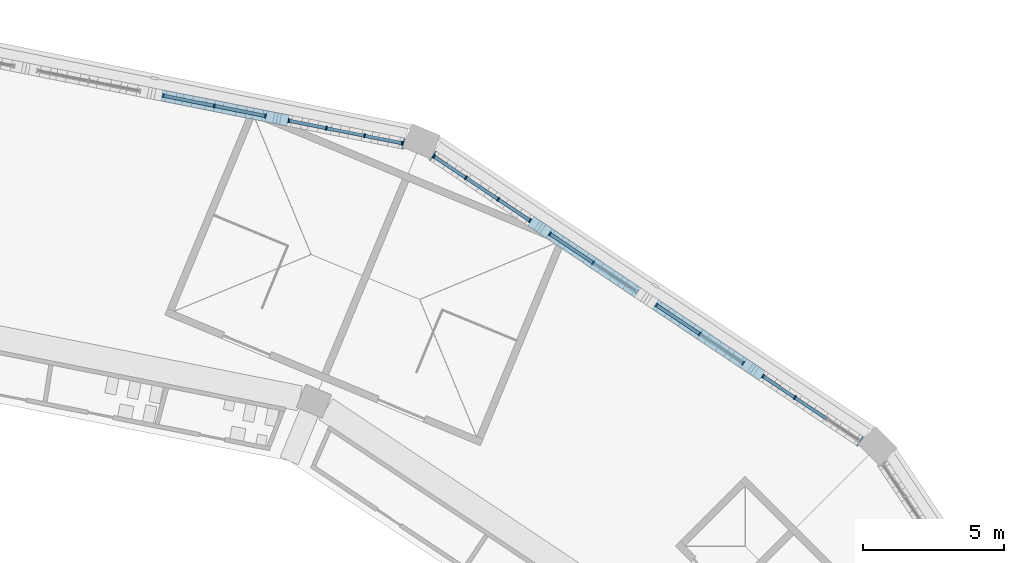
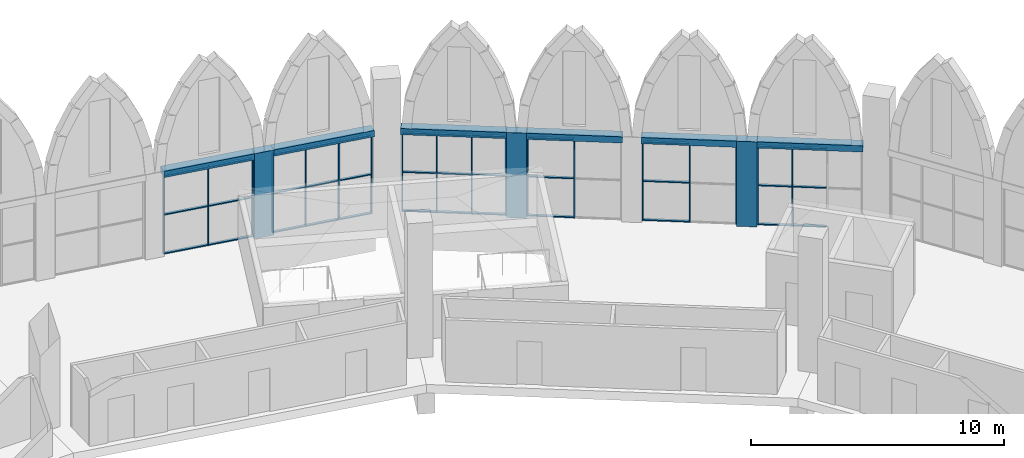
# One storey, part 46 of 130: 57 members, 6 beams, 6 elements without a shape of their own.
"""IFC4 building model written with IfcOpenShell, lengths in metres."""

import ifcopenshell
import ifcopenshell.guid

model = None  # the IFC model being written
_history = None  # IfcOwnerHistory: only IFC2X3 demands one
_inside = {}  # id of a spatial element -> (the spatial element, [elements in it])
_under = {}  # id of a project, library or spatial element -> (it, [spatial elements below it])
_declared = {}  # id of a project -> (the project, [libraries it declares])
_typed = {}  # id of a type object -> (the type object, [elements of that type])
_made_of = {}  # id of a material, layer set ... -> (it, [elements and type objects made of it])


def new_model(schema):
    """Start an empty IFC model of exactly this schema.

    Asked for "IFC4X3", IfcOpenShell would pick the latest addendum, in which some entities
    have other attributes; the version numbers below select the first issue.
    IFC2X3 requires an IfcOwnerHistory on every rooted entity: one is made here for all.
    """
    global model, _history
    if schema == "IFC4X3":
        model = ifcopenshell.file(schema_version=(4, 3, 0, 0))
    else:
        model = ifcopenshell.file(schema=schema)
    _inside.clear()
    _under.clear()
    _declared.clear()
    _typed.clear()
    _made_of.clear()
    _history = None
    if model.schema == "IFC2X3":
        org = make("IfcOrganization", Name="unknown")
        user = make(
            "IfcPersonAndOrganization",
            ThePerson=make("IfcPerson", FamilyName="unknown"),
            TheOrganization=org,
        )
        app = make(
            "IfcApplication",
            ApplicationDeveloper=org,
            Version="unknown",
            ApplicationFullName="unknown",
            ApplicationIdentifier="unknown",
        )
        _history = make(
            "IfcOwnerHistory",
            OwningUser=user,
            OwningApplication=app,
            ChangeAction="ADDED",
            CreationDate=0,
        )
    return model


def make(cls, **values):
    """One entity of the class cls with the attributes given. An attribute that is None is left unset."""
    return model.create_entity(
        cls, **{name: value for name, value in values.items() if value is not None}
    )


def rooted(cls, **values):
    """An entity with a GlobalId (a new one), such as an element, a storey or a relation."""
    return make(cls, GlobalId=ifcopenshell.guid.new(), OwnerHistory=_history, **values)


def si_unit(unit_type, name, prefix=None):
    """IfcSIUnit, for example si_unit("LENGTHUNIT", "METRE", prefix="MILLI")."""
    return make("IfcSIUnit", UnitType=unit_type, Prefix=prefix, Name=name)


def assignment(units):
    """IfcUnitAssignment: the units of a project."""
    return None if units is None else make("IfcUnitAssignment", Units=units)


def point(xyz):
    """IfcCartesianPoint."""
    return None if xyz is None else make("IfcCartesianPoint", Coordinates=xyz)


def direction(xyz):
    """IfcDirection."""
    return None if xyz is None else make("IfcDirection", DirectionRatios=xyz)


def frame(location, z_axis=None, x_axis=None):
    """IfcAxis2Placement3D, a coordinate frame: its origin and axes. An axis left out is left unset."""
    return make(
        "IfcAxis2Placement3D",
        Location=point(location),
        Axis=direction(z_axis),
        RefDirection=direction(x_axis),
    )


def frame_2d(location, x_axis=None):
    """IfcAxis2Placement2D, a coordinate frame in the plane: its origin and x axis."""
    return make(
        "IfcAxis2Placement2D", Location=point(location), RefDirection=direction(x_axis)
    )


def origin():
    """The frame at (0, 0, 0) with its axes left unset."""
    return frame((0.0, 0.0, 0.0))


def origin_2d():
    """The frame at (0, 0) in the plane with its x axis left unset."""
    return frame_2d((0.0, 0.0))


def place(relative_to, where):
    """IfcLocalPlacement: puts the frame where relative to a parent placement (None: the world)."""
    return make(
        "IfcLocalPlacement", PlacementRelTo=relative_to, RelativePlacement=where
    )


def context(
    kind, dimensions, precision=None, world=None, true_north=None, identifier=None
):
    """IfcGeometricRepresentationContext, for example the 3D "Model" context."""
    return make(
        "IfcGeometricRepresentationContext",
        ContextIdentifier=identifier,
        ContextType=kind,
        CoordinateSpaceDimension=dimensions,
        Precision=precision,
        WorldCoordinateSystem=world,
        TrueNorth=true_north,
    )


def subcontext(parent, identifier, kind, view, scale=None):
    """IfcGeometricRepresentationSubContext, for example "Body" below "Model"."""
    return make(
        "IfcGeometricRepresentationSubContext",
        ContextIdentifier=identifier,
        ContextType=kind,
        ParentContext=parent,
        TargetScale=scale,
        TargetView=view,
    )


def project(units=None, contexts=None):
    """IfcProject with its units and contexts."""
    return rooted(
        "IfcProject",
        Name="project",
        RepresentationContexts=contexts,
        UnitsInContext=assignment(units),
    )


def spatial(cls, under=None, at=None, **own):
    """A site, building, storey or space (cls), placed at a placement, below another one or the project."""
    s = rooted(cls, ObjectPlacement=at, **own)
    if under is not None:
        _under.setdefault(under.id(), (under, []))[1].append(s)
    return s


def profile(cls, at=None, kind="AREA", **sizes):
    """A parametric profile (cls). Its sizes go by their IFC names, for example OverallWidth=200.0."""
    return make(cls, ProfileType=kind, Position=at, **sizes)


def rectangle(**sizes):
    """IfcRectangleProfileDef."""
    return profile("IfcRectangleProfileDef", **sizes)


def extrude(swept, where, along, depth):
    """IfcExtrudedAreaSolid: the profile swept, set in the frame where, extruded along a direction by depth."""
    return make(
        "IfcExtrudedAreaSolid",
        SweptArea=swept,
        Position=where,
        ExtrudedDirection=direction(along),
        Depth=depth,
    )


def shape(context_of_items, identifier, shape_type, items):
    """IfcShapeRepresentation: the items that make up one representation, for example the "Body"."""
    return make(
        "IfcShapeRepresentation",
        ContextOfItems=context_of_items,
        RepresentationIdentifier=identifier,
        RepresentationType=shape_type,
        Items=items,
    )


def material(Name=None, Category=None):
    """IfcMaterial."""
    return make("IfcMaterial", Name=Name, Category=Category)


def material_profile(
    of_material, cross_section, Name=None, Category=None, Priority=None
):
    """IfcMaterialProfile: a cross section and its material."""
    return make(
        "IfcMaterialProfile",
        Name=Name,
        Material=of_material,
        Profile=cross_section,
        Priority=Priority,
        Category=Category,
    )


def profile_set(profiles, Name=None, composite=None):
    """IfcMaterialProfileSet."""
    return make(
        "IfcMaterialProfileSet",
        Name=Name,
        MaterialProfiles=profiles,
        CompositeProfile=composite,
    )


def made_of(thing, what):
    """Note that an element or type object is made of a material, layer set ...; save() writes the relation."""
    if what is not None:
        _made_of.setdefault(what.id(), (what, []))[1].append(thing)
    return thing


def type_object(cls, material=None, **own):
    """A type object (cls), such as IfcWallType, which elements share."""
    return made_of(rooted(cls, **own), material)


def element(
    cls,
    number,
    at=None,
    inside=None,
    cuts=None,
    type_object=None,
    material=None,
    context=None,
    identifier="Body",
    shape_type=None,
    held_by="IfcProductDefinitionShape",
    body=None,
    shapes=None,
    **own,
):
    """One element of the class cls, such as IfcWall. Its Tag is "e" and its number.

    at: its placement. inside: the storey or other place that contains it. cuts: it is an
    opening in that element (IfcRelVoidsElement). A single representation is given by context,
    identifier, shape_type and body (its items); several are given by shapes. held_by: the class
    of the entity that holds the representations. save() writes the other relations.
    """
    e = rooted(cls, Tag="e%d" % number, ObjectPlacement=at, **own)
    if body is not None:
        shapes = [shape(context, identifier, shape_type, body)]
    if shapes is not None:
        e.Representation = make(held_by, Representations=shapes)
    if inside is not None:
        _inside.setdefault(inside.id(), (inside, []))[1].append(e)
    if cuts is not None:
        rooted(
            "IfcRelVoidsElement", RelatingBuildingElement=cuts, RelatedOpeningElement=e
        )
    if type_object is not None:
        _typed.setdefault(type_object.id(), (type_object, []))[1].append(e)
    return made_of(e, material)


def aggregate(whole, parts):
    """IfcRelAggregates: a whole, such as a stair, and the parts it consists of."""
    return rooted("IfcRelAggregates", RelatingObject=whole, RelatedObjects=parts)


def save(model, path):
    """Write the relations noted so far, then the file.

    IfcRelAggregates (storeys below a building ...), IfcRelContainedInSpatialStructure (elements
    in a storey), IfcRelDefinesByType, IfcRelAssociatesMaterial and IfcRelDeclares: one each for
    every whole, place, type object, material and project.
    """
    for whole, parts in _under.values():
        aggregate(whole, parts)
    for where, things in _inside.values():
        rooted(
            "IfcRelContainedInSpatialStructure",
            RelatedElements=things,
            RelatingStructure=where,
        )
    for kind, things in _typed.values():
        rooted("IfcRelDefinesByType", RelatedObjects=things, RelatingType=kind)
    for what, things in _made_of.values():
        rooted("IfcRelAssociatesMaterial", RelatedObjects=things, RelatingMaterial=what)
    for by, libraries in _declared.values():
        rooted("IfcRelDeclares", RelatingContext=by, RelatedDefinitions=libraries)
    model.write(path)


model = new_model("IFC4")

# Units and contexts
model_context = context("Model", 3, precision=1e-05, world=origin(), true_north=direction((0.0, 1.0)))
body_context = subcontext(model_context, "Body", "Model", "MODEL_VIEW")
ifc_project = project(units=[si_unit("LENGTHUNIT", "METRE"), si_unit("AREAUNIT", "SQUARE_METRE"), si_unit("VOLUMEUNIT", "CUBIC_METRE"), si_unit("PLANEANGLEUNIT", "RADIAN"), si_unit("MASSUNIT", "GRAM", prefix="KILO")], contexts=[model_context])

# Site, building, storey
site_placement = place(None, origin())
site = spatial("IfcSite", under=ifc_project, at=site_placement, CompositionType="ELEMENT")
building_placement = place(site_placement, origin())
building = spatial("IfcBuilding", under=site, at=building_placement, Name="Ogive Plaza Stadium", CompositionType="ELEMENT")
storey_placement = place(building_placement, frame((0.0, 0.0, 22.5)))
storey = spatial("IfcBuildingStorey", under=building, at=storey_placement, Name="L05", CompositionType="ELEMENT", Elevation=22.5)

# Curtain wall, members
ifc_material_1 = material(Name="Bronze-anodised aluminium with laminated glass", Category="aluminium")
curtain_wall_type = type_object("IfcCurtainWallType", Name="Lancet curtain wall", PredefinedType="NOTDEFINED", material=ifc_material_1)
curtain_wall_1_placement = place(storey_placement, origin())
curtain_wall_1 = element("IfcCurtainWall", 1, at=curtain_wall_1_placement, inside=storey, type_object=curtain_wall_type, Name="CURTAIN WALL B37 L05", PredefinedType="NOTDEFINED")
ifc_material_2 = material(Name="Bronze-anodised aluminium", Category="aluminium")
ifc_material_profile_1 = material_profile(ifc_material_2, rectangle(XDim=0.14990234375, YDim=0.050048828125, at=origin_2d()), Name="AL 150x50")
ifc_profile_set_1 = profile_set([ifc_material_profile_1], Name="Bronze-anodised aluminium")
member_type_1 = type_object("IfcMemberType", Name="Curtain wall mullion 50x150", PredefinedType="MULLION", material=ifc_profile_set_1)
member_1_placement = place(storey_placement, frame((43.94482421875, 100.31787109375, 0.0), z_axis=(0.0, 0.0, 1.0), x_axis=(0.195090322153, 0.980785280376, 0.0)))
member_1 = element("IfcMember", 2, at=member_1_placement, type_object=member_type_1, Name="CW-B37-L05.3 mullion 1", PredefinedType="MULLION", context=body_context, shape_type="SweptSolid", body=[
    extrude(rectangle(XDim=0.14990234375, YDim=0.050048828125, at=origin_2d()), origin(), (0.0, 0.0, 1.0), 3.800048828125),
])
member_2_placement = place(storey_placement, frame((45.762939453125, 99.956298828125, 0.0), z_axis=(0.0, 0.0, 1.0), x_axis=(0.195090322153, 0.980785280376, 0.0)))
member_2 = element("IfcMember", 3, at=member_2_placement, type_object=member_type_1, Name="CW-B37-L05.3 mullion 2", PredefinedType="MULLION", context=body_context, shape_type="SweptSolid", body=[
    extrude(rectangle(XDim=0.14990234375, YDim=0.050048828125, at=origin_2d()), origin(), (0.0, 0.0, 1.0), 3.800048828125),
])
member_3_placement = place(storey_placement, frame((47.580810546875, 99.5947265625, 0.0), z_axis=(0.0, 0.0, 1.0), x_axis=(0.195090322153, 0.980785280376, 0.0)))
member_3 = element("IfcMember", 4, at=member_3_placement, type_object=member_type_1, Name="CW-B37-L05.3 mullion 3", PredefinedType="MULLION", context=body_context, shape_type="SweptSolid", body=[
    extrude(rectangle(XDim=0.14990234375, YDim=0.050048828125, at=origin_2d()), origin(), (0.0, 0.0, 1.0), 3.800048828125),
])

curtain_wall_2_placement = place(storey_placement, origin())
curtain_wall_2 = element("IfcCurtainWall", 5, at=curtain_wall_2_placement, inside=storey, type_object=curtain_wall_type, Name="CURTAIN WALL B37 L05", PredefinedType="NOTDEFINED")
member_4_placement = place(storey_placement, frame((48.414306640625, 99.428955078125, 0.0), z_axis=(0.0, 0.0, 1.0), x_axis=(0.195090321965, 0.980785280413, 0.0)))
member_4 = element("IfcMember", 6, at=member_4_placement, type_object=member_type_1, Name="CW-B37-L05.4 mullion 1", PredefinedType="MULLION", context=body_context, shape_type="SweptSolid", body=[
    extrude(rectangle(XDim=0.14990234375, YDim=0.050048828125, at=origin_2d()), origin(), (0.0, 0.0, 1.0), 3.800048828125),
])
member_5_placement = place(storey_placement, frame((49.7490234375, 99.163330078125, 0.0), z_axis=(0.0, 0.0, 1.0), x_axis=(0.195090321965, 0.980785280413, 0.0)))
member_5 = element("IfcMember", 7, at=member_5_placement, type_object=member_type_1, Name="CW-B37-L05.4 mullion 2", PredefinedType="MULLION", context=body_context, shape_type="SweptSolid", body=[
    extrude(rectangle(XDim=0.14990234375, YDim=0.050048828125, at=origin_2d()), origin(), (0.0, 0.0, 1.0), 3.800048828125),
])
member_6_placement = place(storey_placement, frame((51.108154296875, 98.89306640625, 0.0), z_axis=(0.0, 0.0, 1.0), x_axis=(0.195090321965, 0.980785280413, 0.0)))
member_6 = element("IfcMember", 8, at=member_6_placement, type_object=member_type_1, Name="CW-B37-L05.4 mullion 3", PredefinedType="MULLION", context=body_context, shape_type="SweptSolid", body=[
    extrude(rectangle(XDim=0.14990234375, YDim=0.050048828125, at=origin_2d()), origin(), (0.0, 0.0, 1.0), 3.800048828125),
])
member_7_placement = place(storey_placement, frame((52.442626953125, 98.627685546875, 0.0), z_axis=(0.0, 0.0, 1.0), x_axis=(0.195090321965, 0.980785280413, 0.0)))
member_7 = element("IfcMember", 9, at=member_7_placement, type_object=member_type_1, Name="CW-B37-L05.4 mullion 4", PredefinedType="MULLION", context=body_context, shape_type="SweptSolid", body=[
    extrude(rectangle(XDim=0.14990234375, YDim=0.050048828125, at=origin_2d()), origin(), (0.0, 0.0, 1.0), 3.800048828125),
])

curtain_wall_3_placement = place(storey_placement, origin())
curtain_wall_3 = element("IfcCurtainWall", 10, at=curtain_wall_3_placement, inside=storey, type_object=curtain_wall_type, Name="CURTAIN WALL B38 L05", PredefinedType="NOTDEFINED")
member_8_placement = place(storey_placement, frame((53.576171875, 98.157958984375, 0.0), z_axis=(0.0, 0.0, 1.0), x_axis=(0.555570232889, 0.83146961239, 0.0)))
member_8 = element("IfcMember", 11, at=member_8_placement, type_object=member_type_1, Name="CW-B38-L05.1 mullion 1", PredefinedType="MULLION", context=body_context, shape_type="SweptSolid", body=[
    extrude(rectangle(XDim=0.14990234375, YDim=0.050048828125, at=origin_2d()), origin(), (0.0, 0.0, 1.0), 3.800048828125),
])
member_9_placement = place(storey_placement, frame((54.707763671875, 97.402099609375, 0.0), z_axis=(0.0, 0.0, 1.0), x_axis=(0.555570232889, 0.83146961239, 0.0)))
member_9 = element("IfcMember", 12, at=member_9_placement, type_object=member_type_1, Name="CW-B38-L05.1 mullion 2", PredefinedType="MULLION", context=body_context, shape_type="SweptSolid", body=[
    extrude(rectangle(XDim=0.14990234375, YDim=0.050048828125, at=origin_2d()), origin(), (0.0, 0.0, 1.0), 3.800048828125),
])
member_10_placement = place(storey_placement, frame((55.85986328125, 96.63232421875, 0.0), z_axis=(0.0, 0.0, 1.0), x_axis=(0.555570232889, 0.83146961239, 0.0)))
member_10 = element("IfcMember", 13, at=member_10_placement, type_object=member_type_1, Name="CW-B38-L05.1 mullion 3", PredefinedType="MULLION", context=body_context, shape_type="SweptSolid", body=[
    extrude(rectangle(XDim=0.14990234375, YDim=0.050048828125, at=origin_2d()), origin(), (0.0, 0.0, 1.0), 3.800048828125),
])
member_11_placement = place(storey_placement, frame((56.9912109375, 95.876220703125, 0.0), z_axis=(0.0, 0.0, 1.0), x_axis=(0.555570232889, 0.83146961239, 0.0)))
member_11 = element("IfcMember", 14, at=member_11_placement, type_object=member_type_1, Name="CW-B38-L05.1 mullion 4", PredefinedType="MULLION", context=body_context, shape_type="SweptSolid", body=[
    extrude(rectangle(XDim=0.14990234375, YDim=0.050048828125, at=origin_2d()), origin(), (0.0, 0.0, 1.0), 3.800048828125),
])

curtain_wall_4_placement = place(storey_placement, origin())
curtain_wall_4 = element("IfcCurtainWall", 15, at=curtain_wall_4_placement, inside=storey, type_object=curtain_wall_type, Name="CURTAIN WALL B38 L05", PredefinedType="NOTDEFINED")
member_12_placement = place(storey_placement, frame((57.697998046875, 95.404052734375, 0.0), z_axis=(0.0, 0.0, 1.0), x_axis=(0.555570233237, 0.831469612157, 0.0)))
member_12 = element("IfcMember", 16, at=member_12_placement, type_object=member_type_1, Name="CW-B38-L05.2 mullion 1", PredefinedType="MULLION", context=body_context, shape_type="SweptSolid", body=[
    extrude(rectangle(XDim=0.14990234375, YDim=0.050048828125, at=origin_2d()), origin(), (0.0, 0.0, 1.0), 3.800048828125),
])
member_13_placement = place(storey_placement, frame((59.239013671875, 94.374267578125, 0.0), z_axis=(0.0, 0.0, 1.0), x_axis=(0.555570233237, 0.831469612157, 0.0)))
member_13 = element("IfcMember", 17, at=member_13_placement, type_object=member_type_1, Name="CW-B38-L05.2 mullion 2", PredefinedType="MULLION", context=body_context, shape_type="SweptSolid", body=[
    extrude(rectangle(XDim=0.14990234375, YDim=0.050048828125, at=origin_2d()), origin(), (0.0, 0.0, 1.0), 3.800048828125),
])

curtain_wall_5_placement = place(storey_placement, origin())
curtain_wall_5 = element("IfcCurtainWall", 18, at=curtain_wall_5_placement, inside=storey, type_object=curtain_wall_type, Name="CURTAIN WALL B38 L05", PredefinedType="NOTDEFINED")
member_14_placement = place(storey_placement, frame((61.487060546875, 92.872314453125, 0.0), z_axis=(0.0, 0.0, 1.0), x_axis=(0.555570233121, 0.831469612235, 0.0)))
member_14 = element("IfcMember", 19, at=member_14_placement, type_object=member_type_1, Name="CW-B38-L05.3 mullion 1", PredefinedType="MULLION", context=body_context, shape_type="SweptSolid", body=[
    extrude(rectangle(XDim=0.14990234375, YDim=0.050048828125, at=origin_2d()), origin(), (0.0, 0.0, 1.0), 3.800048828125),
])
member_15_placement = place(storey_placement, frame((63.028076171875, 91.842529296875, 0.0), z_axis=(0.0, 0.0, 1.0), x_axis=(0.555570233121, 0.831469612235, 0.0)))
member_15 = element("IfcMember", 20, at=member_15_placement, type_object=member_type_1, Name="CW-B38-L05.3 mullion 2", PredefinedType="MULLION", context=body_context, shape_type="SweptSolid", body=[
    extrude(rectangle(XDim=0.14990234375, YDim=0.050048828125, at=origin_2d()), origin(), (0.0, 0.0, 1.0), 3.800048828125),
])
member_16_placement = place(storey_placement, frame((64.5693359375, 90.812744140625, 0.0), z_axis=(0.0, 0.0, 1.0), x_axis=(0.555570233121, 0.831469612235, 0.0)))
member_16 = element("IfcMember", 21, at=member_16_placement, type_object=member_type_1, Name="CW-B38-L05.3 mullion 3", PredefinedType="MULLION", context=body_context, shape_type="SweptSolid", body=[
    extrude(rectangle(XDim=0.14990234375, YDim=0.050048828125, at=origin_2d()), origin(), (0.0, 0.0, 1.0), 3.800048828125),
])

curtain_wall_6_placement = place(storey_placement, origin())
curtain_wall_6 = element("IfcCurtainWall", 22, at=curtain_wall_6_placement, inside=storey, type_object=curtain_wall_type, Name="CURTAIN WALL B38 L05", PredefinedType="NOTDEFINED")
member_17_placement = place(storey_placement, frame((65.276123046875, 90.340576171875, 0.0), z_axis=(0.0, 0.0, 1.0), x_axis=(0.555570233005, 0.831469612312, 0.0)))
member_17 = element("IfcMember", 23, at=member_17_placement, type_object=member_type_1, Name="CW-B38-L05.4 mullion 1", PredefinedType="MULLION", context=body_context, shape_type="SweptSolid", body=[
    extrude(rectangle(XDim=0.14990234375, YDim=0.050048828125, at=origin_2d()), origin(), (0.0, 0.0, 1.0), 3.800048828125),
])
member_18_placement = place(storey_placement, frame((66.407470703125, 89.58447265625, 0.0), z_axis=(0.0, 0.0, 1.0), x_axis=(0.555570233005, 0.831469612312, 0.0)))
member_18 = element("IfcMember", 24, at=member_18_placement, type_object=member_type_1, Name="CW-B38-L05.4 mullion 2", PredefinedType="MULLION", context=body_context, shape_type="SweptSolid", body=[
    extrude(rectangle(XDim=0.14990234375, YDim=0.050048828125, at=origin_2d()), origin(), (0.0, 0.0, 1.0), 3.800048828125),
])

# Member
ifc_material_3 = material(Name="Bronze-anodised aluminium", Category="aluminium")
ifc_material_profile_2 = material_profile(ifc_material_3, rectangle(XDim=0.1201171875, YDim=0.050048828125, at=origin_2d()), Name="AL 120x50")
ifc_profile_set_2 = profile_set([ifc_material_profile_2], Name="Bronze-anodised aluminium")
member_type_2 = type_object("IfcMemberType", Name="Curtain wall transom 50x120", PredefinedType="USERDEFINED", material=ifc_profile_set_2)
member_19_placement = place(storey_placement, frame((43.969482421875, 100.31298828125, 0.02490234375), z_axis=(0.980788391247, -0.195074682096, 0.0), x_axis=(0.195074682096, 0.980788391247, 0.0)))
member_19 = element("IfcMember", 25, at=member_19_placement, type_object=member_type_2, Name="CW-B37-L05.3 transom 1.1", ObjectType="TRANSOM", PredefinedType="USERDEFINED", context=body_context, shape_type="SweptSolid", body=[
    extrude(rectangle(XDim=0.1201171875, YDim=0.050048828125, at=origin_2d()), origin(), (0.0, 0.0, 1.0), 1.803466796875),
])

member_20_placement = place(storey_placement, frame((43.969482421875, 100.31298828125, 1.89990234375), z_axis=(0.980788391247, -0.195074682096, 0.0), x_axis=(0.195074682096, 0.980788391247, 0.0)))
member_20 = element("IfcMember", 26, at=member_20_placement, type_object=member_type_2, Name="CW-B37-L05.3 transom 1.2", ObjectType="TRANSOM", PredefinedType="USERDEFINED", context=body_context, shape_type="SweptSolid", body=[
    extrude(rectangle(XDim=0.1201171875, YDim=0.050048828125, at=origin_2d()), origin(), (0.0, 0.0, 1.0), 1.803466796875),
])

member_21_placement = place(storey_placement, frame((43.969482421875, 100.31298828125, 3.77490234375), z_axis=(0.980788391247, -0.195074682096, 0.0), x_axis=(0.195074682096, 0.980788391247, 0.0)))
member_21 = element("IfcMember", 27, at=member_21_placement, type_object=member_type_2, Name="CW-B37-L05.3 transom 1.3", ObjectType="TRANSOM", PredefinedType="USERDEFINED", context=body_context, shape_type="SweptSolid", body=[
    extrude(rectangle(XDim=0.1201171875, YDim=0.050048828125, at=origin_2d()), origin(), (0.0, 0.0, 1.0), 1.803466796875),
])

member_22_placement = place(storey_placement, frame((45.787353515625, 99.951416015625, 0.02490234375), z_axis=(0.980788391247, -0.195074682096, 0.0), x_axis=(0.195074682096, 0.980788391247, 0.0)))
member_22 = element("IfcMember", 28, at=member_22_placement, type_object=member_type_2, Name="CW-B37-L05.3 transom 2.1", ObjectType="TRANSOM", PredefinedType="USERDEFINED", context=body_context, shape_type="SweptSolid", body=[
    extrude(rectangle(XDim=0.1201171875, YDim=0.050048828125, at=origin_2d()), origin(), (0.0, 0.0, 1.0), 1.803466796875),
])

member_23_placement = place(storey_placement, frame((45.787353515625, 99.951416015625, 1.89990234375), z_axis=(0.980788391247, -0.195074682096, 0.0), x_axis=(0.195074682096, 0.980788391247, 0.0)))
member_23 = element("IfcMember", 29, at=member_23_placement, type_object=member_type_2, Name="CW-B37-L05.3 transom 2.2", ObjectType="TRANSOM", PredefinedType="USERDEFINED", context=body_context, shape_type="SweptSolid", body=[
    extrude(rectangle(XDim=0.1201171875, YDim=0.050048828125, at=origin_2d()), origin(), (0.0, 0.0, 1.0), 1.803466796875),
])

member_24_placement = place(storey_placement, frame((45.787353515625, 99.951416015625, 3.77490234375), z_axis=(0.980788391247, -0.195074682096, 0.0), x_axis=(0.195074682096, 0.980788391247, 0.0)))
member_24 = element("IfcMember", 30, at=member_24_placement, type_object=member_type_2, Name="CW-B37-L05.3 transom 2.3", ObjectType="TRANSOM", PredefinedType="USERDEFINED", context=body_context, shape_type="SweptSolid", body=[
    extrude(rectangle(XDim=0.1201171875, YDim=0.050048828125, at=origin_2d()), origin(), (0.0, 0.0, 1.0), 1.803466796875),
])

aggregate(curtain_wall_1, [member_1, member_2, member_3, member_19, member_20, member_21, member_22, member_23, member_24])

member_25_placement = place(storey_placement, frame((48.43896484375, 99.424072265625, 0.02490234375), z_axis=(0.980759381228, -0.195220480822, 0.0), x_axis=(0.195220480822, 0.980759381228, 0.0)))
member_25 = element("IfcMember", 31, at=member_25_placement, type_object=member_type_2, Name="CW-B37-L05.4 transom 1.1", ObjectType="TRANSOM", PredefinedType="USERDEFINED", context=body_context, shape_type="SweptSolid", body=[
    extrude(rectangle(XDim=0.1201171875, YDim=0.050048828125, at=origin_2d()), origin(), (0.0, 0.0, 1.0), 1.310546875),
])

member_26_placement = place(storey_placement, frame((48.43896484375, 99.424072265625, 1.89990234375), z_axis=(0.980759381228, -0.195220480822, 0.0), x_axis=(0.195220480822, 0.980759381228, 0.0)))
member_26 = element("IfcMember", 32, at=member_26_placement, type_object=member_type_2, Name="CW-B37-L05.4 transom 1.2", ObjectType="TRANSOM", PredefinedType="USERDEFINED", context=body_context, shape_type="SweptSolid", body=[
    extrude(rectangle(XDim=0.1201171875, YDim=0.050048828125, at=origin_2d()), origin(), (0.0, 0.0, 1.0), 1.310546875),
])

member_27_placement = place(storey_placement, frame((48.43896484375, 99.424072265625, 3.77490234375), z_axis=(0.980759381228, -0.195220480822, 0.0), x_axis=(0.195220480822, 0.980759381228, 0.0)))
member_27 = element("IfcMember", 33, at=member_27_placement, type_object=member_type_2, Name="CW-B37-L05.4 transom 1.3", ObjectType="TRANSOM", PredefinedType="USERDEFINED", context=body_context, shape_type="SweptSolid", body=[
    extrude(rectangle(XDim=0.1201171875, YDim=0.050048828125, at=origin_2d()), origin(), (0.0, 0.0, 1.0), 1.310546875),
])

member_28_placement = place(storey_placement, frame((49.7734375, 99.158447265625, 0.02490234375), z_axis=(0.98079800038, -0.195026363475, 0.0), x_axis=(0.195026363475, 0.98079800038, 0.0)))
member_28 = element("IfcMember", 34, at=member_28_placement, type_object=member_type_2, Name="CW-B37-L05.4 transom 2.1", ObjectType="TRANSOM", PredefinedType="USERDEFINED", context=body_context, shape_type="SweptSolid", body=[
    extrude(rectangle(XDim=0.1201171875, YDim=0.050048828125, at=origin_2d()), origin(), (0.0, 0.0, 1.0), 1.335693359375),
])

member_29_placement = place(storey_placement, frame((49.7734375, 99.158447265625, 1.89990234375), z_axis=(0.98079800038, -0.195026363475, 0.0), x_axis=(0.195026363475, 0.98079800038, 0.0)))
member_29 = element("IfcMember", 35, at=member_29_placement, type_object=member_type_2, Name="CW-B37-L05.4 transom 2.2", ObjectType="TRANSOM", PredefinedType="USERDEFINED", context=body_context, shape_type="SweptSolid", body=[
    extrude(rectangle(XDim=0.1201171875, YDim=0.050048828125, at=origin_2d()), origin(), (0.0, 0.0, 1.0), 1.335693359375),
])

member_30_placement = place(storey_placement, frame((49.7734375, 99.158447265625, 3.77490234375), z_axis=(0.98079800038, -0.195026363475, 0.0), x_axis=(0.195026363475, 0.98079800038, 0.0)))
member_30 = element("IfcMember", 36, at=member_30_placement, type_object=member_type_2, Name="CW-B37-L05.4 transom 2.3", ObjectType="TRANSOM", PredefinedType="USERDEFINED", context=body_context, shape_type="SweptSolid", body=[
    extrude(rectangle(XDim=0.1201171875, YDim=0.050048828125, at=origin_2d()), origin(), (0.0, 0.0, 1.0), 1.335693359375),
])

member_31_placement = place(storey_placement, frame((51.132568359375, 98.88818359375, 0.02490234375), z_axis=(0.980795031954, -0.195041291255, 0.0), x_axis=(0.195041291255, 0.980795031954, 0.0)))
member_31 = element("IfcMember", 37, at=member_31_placement, type_object=member_type_2, Name="CW-B37-L05.4 transom 3.1", ObjectType="TRANSOM", PredefinedType="USERDEFINED", context=body_context, shape_type="SweptSolid", body=[
    extrude(rectangle(XDim=0.1201171875, YDim=0.050048828125, at=origin_2d()), origin(), (0.0, 0.0, 1.0), 1.310546875),
])

member_32_placement = place(storey_placement, frame((51.132568359375, 98.88818359375, 1.89990234375), z_axis=(0.980795031954, -0.195041291255, 0.0), x_axis=(0.195041291255, 0.980795031954, 0.0)))
member_32 = element("IfcMember", 38, at=member_32_placement, type_object=member_type_2, Name="CW-B37-L05.4 transom 3.2", ObjectType="TRANSOM", PredefinedType="USERDEFINED", context=body_context, shape_type="SweptSolid", body=[
    extrude(rectangle(XDim=0.1201171875, YDim=0.050048828125, at=origin_2d()), origin(), (0.0, 0.0, 1.0), 1.310546875),
])

member_33_placement = place(storey_placement, frame((51.132568359375, 98.88818359375, 3.77490234375), z_axis=(0.980795031954, -0.195041291255, 0.0), x_axis=(0.195041291255, 0.980795031954, 0.0)))
member_33 = element("IfcMember", 39, at=member_33_placement, type_object=member_type_2, Name="CW-B37-L05.4 transom 3.3", ObjectType="TRANSOM", PredefinedType="USERDEFINED", context=body_context, shape_type="SweptSolid", body=[
    extrude(rectangle(XDim=0.1201171875, YDim=0.050048828125, at=origin_2d()), origin(), (0.0, 0.0, 1.0), 1.310546875),
])

aggregate(curtain_wall_2, [member_4, member_5, member_6, member_7, member_25, member_26, member_27, member_28, member_29, member_30, member_31, member_32, member_33])

member_34_placement = place(storey_placement, frame((53.59716796875, 98.14404296875, 0.02490234375), z_axis=(0.831476605676, -0.555559766553, 0.0), x_axis=(0.555559766553, 0.831476605676, 0.0)))
member_34 = element("IfcMember", 40, at=member_34_placement, type_object=member_type_2, Name="CW-B38-L05.1 transom 1.1", ObjectType="TRANSOM", PredefinedType="USERDEFINED", context=body_context, shape_type="SweptSolid", body=[
    extrude(rectangle(XDim=0.1201171875, YDim=0.050048828125, at=origin_2d()), origin(), (0.0, 0.0, 1.0), 1.310546875),
])

member_35_placement = place(storey_placement, frame((53.59716796875, 98.14404296875, 1.89990234375), z_axis=(0.831476605676, -0.555559766553, 0.0), x_axis=(0.555559766553, 0.831476605676, 0.0)))
member_35 = element("IfcMember", 41, at=member_35_placement, type_object=member_type_2, Name="CW-B38-L05.1 transom 1.2", ObjectType="TRANSOM", PredefinedType="USERDEFINED", context=body_context, shape_type="SweptSolid", body=[
    extrude(rectangle(XDim=0.1201171875, YDim=0.050048828125, at=origin_2d()), origin(), (0.0, 0.0, 1.0), 1.310546875),
])

member_36_placement = place(storey_placement, frame((53.59716796875, 98.14404296875, 3.77490234375), z_axis=(0.831476605676, -0.555559766553, 0.0), x_axis=(0.555559766553, 0.831476605676, 0.0)))
member_36 = element("IfcMember", 42, at=member_36_placement, type_object=member_type_2, Name="CW-B38-L05.1 transom 1.3", ObjectType="TRANSOM", PredefinedType="USERDEFINED", context=body_context, shape_type="SweptSolid", body=[
    extrude(rectangle(XDim=0.1201171875, YDim=0.050048828125, at=origin_2d()), origin(), (0.0, 0.0, 1.0), 1.310546875),
])

member_37_placement = place(storey_placement, frame((54.728515625, 97.38818359375, 0.02490234375), z_axis=(0.831431163002, -0.555627772154, 0.0), x_axis=(0.555627772154, 0.831431163002, 0.0)))
member_37 = element("IfcMember", 43, at=member_37_placement, type_object=member_type_2, Name="CW-B38-L05.1 transom 2.1", ObjectType="TRANSOM", PredefinedType="USERDEFINED", context=body_context, shape_type="SweptSolid", body=[
    extrude(rectangle(XDim=0.1201171875, YDim=0.050048828125, at=origin_2d()), origin(), (0.0, 0.0, 1.0), 1.335693359375),
])

member_38_placement = place(storey_placement, frame((54.728515625, 97.38818359375, 1.89990234375), z_axis=(0.831431163002, -0.555627772154, 0.0), x_axis=(0.555627772154, 0.831431163002, 0.0)))
member_38 = element("IfcMember", 44, at=member_38_placement, type_object=member_type_2, Name="CW-B38-L05.1 transom 2.2", ObjectType="TRANSOM", PredefinedType="USERDEFINED", context=body_context, shape_type="SweptSolid", body=[
    extrude(rectangle(XDim=0.1201171875, YDim=0.050048828125, at=origin_2d()), origin(), (0.0, 0.0, 1.0), 1.335693359375),
])

member_39_placement = place(storey_placement, frame((54.728515625, 97.38818359375, 3.77490234375), z_axis=(0.831431163002, -0.555627772154, 0.0), x_axis=(0.555627772154, 0.831431163002, 0.0)))
member_39 = element("IfcMember", 45, at=member_39_placement, type_object=member_type_2, Name="CW-B38-L05.1 transom 2.3", ObjectType="TRANSOM", PredefinedType="USERDEFINED", context=body_context, shape_type="SweptSolid", body=[
    extrude(rectangle(XDim=0.1201171875, YDim=0.050048828125, at=origin_2d()), origin(), (0.0, 0.0, 1.0), 1.335693359375),
])

member_40_placement = place(storey_placement, frame((55.880615234375, 96.618408203125, 0.02490234375), z_axis=(0.83144805367, -0.555602496438, 0.0), x_axis=(0.555602496438, 0.83144805367, 0.0)))
member_40 = element("IfcMember", 46, at=member_40_placement, type_object=member_type_2, Name="CW-B38-L05.1 transom 3.1", ObjectType="TRANSOM", PredefinedType="USERDEFINED", context=body_context, shape_type="SweptSolid", body=[
    extrude(rectangle(XDim=0.1201171875, YDim=0.050048828125, at=origin_2d()), origin(), (0.0, 0.0, 1.0), 1.310791015625),
])

member_41_placement = place(storey_placement, frame((55.880615234375, 96.618408203125, 1.89990234375), z_axis=(0.83144805367, -0.555602496438, 0.0), x_axis=(0.555602496438, 0.83144805367, 0.0)))
member_41 = element("IfcMember", 47, at=member_41_placement, type_object=member_type_2, Name="CW-B38-L05.1 transom 3.2", ObjectType="TRANSOM", PredefinedType="USERDEFINED", context=body_context, shape_type="SweptSolid", body=[
    extrude(rectangle(XDim=0.1201171875, YDim=0.050048828125, at=origin_2d()), origin(), (0.0, 0.0, 1.0), 1.310791015625),
])

member_42_placement = place(storey_placement, frame((55.880615234375, 96.618408203125, 3.77490234375), z_axis=(0.83144805367, -0.555602496438, 0.0), x_axis=(0.555602496438, 0.83144805367, 0.0)))
member_42 = element("IfcMember", 48, at=member_42_placement, type_object=member_type_2, Name="CW-B38-L05.1 transom 3.3", ObjectType="TRANSOM", PredefinedType="USERDEFINED", context=body_context, shape_type="SweptSolid", body=[
    extrude(rectangle(XDim=0.1201171875, YDim=0.050048828125, at=origin_2d()), origin(), (0.0, 0.0, 1.0), 1.310791015625),
])

aggregate(curtain_wall_3, [member_8, member_9, member_10, member_11, member_34, member_35, member_36, member_37, member_38, member_39, member_40, member_41, member_42])

member_43_placement = place(storey_placement, frame((57.71875, 95.39013671875, 0.02490234375), z_axis=(0.831466685303, -0.555574613559, 0.0), x_axis=(0.555574613559, 0.831466685303, 0.0)))
member_43 = element("IfcMember", 49, at=member_43_placement, type_object=member_type_2, Name="CW-B38-L05.2 transom 1.1", ObjectType="TRANSOM", PredefinedType="USERDEFINED", context=body_context, shape_type="SweptSolid", body=[
    extrude(rectangle(XDim=0.1201171875, YDim=0.050048828125, at=origin_2d()), origin(), (0.0, 0.0, 1.0), 1.803466796875),
])

member_44_placement = place(storey_placement, frame((57.71875, 95.39013671875, 1.89990234375), z_axis=(0.831466685303, -0.555574613559, 0.0), x_axis=(0.555574613559, 0.831466685303, 0.0)))
member_44 = element("IfcMember", 50, at=member_44_placement, type_object=member_type_2, Name="CW-B38-L05.2 transom 1.2", ObjectType="TRANSOM", PredefinedType="USERDEFINED", context=body_context, shape_type="SweptSolid", body=[
    extrude(rectangle(XDim=0.1201171875, YDim=0.050048828125, at=origin_2d()), origin(), (0.0, 0.0, 1.0), 1.803466796875),
])

member_45_placement = place(storey_placement, frame((57.71875, 95.39013671875, 3.77490234375), z_axis=(0.831466685303, -0.555574613559, 0.0), x_axis=(0.555574613559, 0.831466685303, 0.0)))
member_45 = element("IfcMember", 51, at=member_45_placement, type_object=member_type_2, Name="CW-B38-L05.2 transom 1.3", ObjectType="TRANSOM", PredefinedType="USERDEFINED", context=body_context, shape_type="SweptSolid", body=[
    extrude(rectangle(XDim=0.1201171875, YDim=0.050048828125, at=origin_2d()), origin(), (0.0, 0.0, 1.0), 1.803466796875),
])

aggregate(curtain_wall_4, [member_12, member_13, member_43, member_44, member_45])

member_46_placement = place(storey_placement, frame((61.5078125, 92.8583984375, 0.02490234375), z_axis=(0.831466685303, -0.555574613559, 0.0), x_axis=(0.555574613559, 0.831466685303, 0.0)))
member_46 = element("IfcMember", 52, at=member_46_placement, type_object=member_type_2, Name="CW-B38-L05.3 transom 1.1", ObjectType="TRANSOM", PredefinedType="USERDEFINED", context=body_context, shape_type="SweptSolid", body=[
    extrude(rectangle(XDim=0.1201171875, YDim=0.050048828125, at=origin_2d()), origin(), (0.0, 0.0, 1.0), 1.803466796875),
])

member_47_placement = place(storey_placement, frame((61.5078125, 92.8583984375, 1.89990234375), z_axis=(0.831466685303, -0.555574613559, 0.0), x_axis=(0.555574613559, 0.831466685303, 0.0)))
member_47 = element("IfcMember", 53, at=member_47_placement, type_object=member_type_2, Name="CW-B38-L05.3 transom 1.2", ObjectType="TRANSOM", PredefinedType="USERDEFINED", context=body_context, shape_type="SweptSolid", body=[
    extrude(rectangle(XDim=0.1201171875, YDim=0.050048828125, at=origin_2d()), origin(), (0.0, 0.0, 1.0), 1.803466796875),
])

member_48_placement = place(storey_placement, frame((61.5078125, 92.8583984375, 3.77490234375), z_axis=(0.831466685303, -0.555574613559, 0.0), x_axis=(0.555574613559, 0.831466685303, 0.0)))
member_48 = element("IfcMember", 54, at=member_48_placement, type_object=member_type_2, Name="CW-B38-L05.3 transom 1.3", ObjectType="TRANSOM", PredefinedType="USERDEFINED", context=body_context, shape_type="SweptSolid", body=[
    extrude(rectangle(XDim=0.1201171875, YDim=0.050048828125, at=origin_2d()), origin(), (0.0, 0.0, 1.0), 1.803466796875),
])

aggregate(curtain_wall_5, [member_14, member_15, member_16, member_46, member_47, member_48])

member_49_placement = place(storey_placement, frame((65.296875, 90.32666015625, 0.02490234375), z_axis=(0.83144805367, -0.555602496438, 0.0), x_axis=(0.555602496438, 0.83144805367, 0.0)))
member_49 = element("IfcMember", 55, at=member_49_placement, type_object=member_type_2, Name="CW-B38-L05.4 transom 1.1", ObjectType="TRANSOM", PredefinedType="USERDEFINED", context=body_context, shape_type="SweptSolid", body=[
    extrude(rectangle(XDim=0.1201171875, YDim=0.050048828125, at=origin_2d()), origin(), (0.0, 0.0, 1.0), 1.310791015625),
])

member_50_placement = place(storey_placement, frame((65.296875, 90.32666015625, 1.89990234375), z_axis=(0.83144805367, -0.555602496438, 0.0), x_axis=(0.555602496438, 0.83144805367, 0.0)))
member_50 = element("IfcMember", 56, at=member_50_placement, type_object=member_type_2, Name="CW-B38-L05.4 transom 1.2", ObjectType="TRANSOM", PredefinedType="USERDEFINED", context=body_context, shape_type="SweptSolid", body=[
    extrude(rectangle(XDim=0.1201171875, YDim=0.050048828125, at=origin_2d()), origin(), (0.0, 0.0, 1.0), 1.310791015625),
])

member_51_placement = place(storey_placement, frame((65.296875, 90.32666015625, 3.77490234375), z_axis=(0.83144805367, -0.555602496438, 0.0), x_axis=(0.555602496438, 0.83144805367, 0.0)))
member_51 = element("IfcMember", 57, at=member_51_placement, type_object=member_type_2, Name="CW-B38-L05.4 transom 1.3", ObjectType="TRANSOM", PredefinedType="USERDEFINED", context=body_context, shape_type="SweptSolid", body=[
    extrude(rectangle(XDim=0.1201171875, YDim=0.050048828125, at=origin_2d()), origin(), (0.0, 0.0, 1.0), 1.310791015625),
])

member_52_placement = place(storey_placement, frame((66.42822265625, 89.570556640625, 0.02490234375), z_axis=(0.831515596605, -0.555501406481, 0.0), x_axis=(0.555501406481, 0.831515596605, 0.0)))
member_52 = element("IfcMember", 58, at=member_52_placement, type_object=member_type_2, Name="CW-B38-L05.4 transom 2.1", ObjectType="TRANSOM", PredefinedType="USERDEFINED", context=body_context, shape_type="SweptSolid", body=[
    extrude(rectangle(XDim=0.1201171875, YDim=0.050048828125, at=origin_2d()), origin(), (0.0, 0.0, 1.0), 1.335693359375),
])

member_53_placement = place(storey_placement, frame((66.42822265625, 89.570556640625, 1.89990234375), z_axis=(0.831515596605, -0.555501406481, 0.0), x_axis=(0.555501406481, 0.831515596605, 0.0)))
member_53 = element("IfcMember", 59, at=member_53_placement, type_object=member_type_2, Name="CW-B38-L05.4 transom 2.2", ObjectType="TRANSOM", PredefinedType="USERDEFINED", context=body_context, shape_type="SweptSolid", body=[
    extrude(rectangle(XDim=0.1201171875, YDim=0.050048828125, at=origin_2d()), origin(), (0.0, 0.0, 1.0), 1.335693359375),
])

member_54_placement = place(storey_placement, frame((66.42822265625, 89.570556640625, 3.77490234375), z_axis=(0.831515596605, -0.555501406481, 0.0), x_axis=(0.555501406481, 0.831515596605, 0.0)))
member_54 = element("IfcMember", 60, at=member_54_placement, type_object=member_type_2, Name="CW-B38-L05.4 transom 2.3", ObjectType="TRANSOM", PredefinedType="USERDEFINED", context=body_context, shape_type="SweptSolid", body=[
    extrude(rectangle(XDim=0.1201171875, YDim=0.050048828125, at=origin_2d()), origin(), (0.0, 0.0, 1.0), 1.335693359375),
])

aggregate(curtain_wall_6, [member_17, member_18, member_49, member_50, member_51, member_52, member_53, member_54])

# Members
ifc_material_4 = material(Name="Concrete C45/55 precast", Category="concrete")
ifc_material_profile_3 = material_profile(ifc_material_4, rectangle(XDim=0.39990234375, YDim=0.800048828125, at=origin_2d()), Name="RC 400x800")
ifc_profile_set_3 = profile_set([ifc_material_profile_3], Name="Concrete C45/55 precast")
member_type_3 = type_object("IfcMemberType", Name="Precast colonette 800x400", PredefinedType="POST", material=ifc_profile_set_3)
for number, where, z_axis, x_axis, name in (
    (61, (47.99755859375, 99.51171875, 0.0), (0.0, 0.0, 1.0), (0.195090322016, 0.980785280403, 0.0), "COLONETTE B37 3"),
    (62, (57.344482421875, 95.64013671875, 0.0), (0.0, 0.0, 1.0), (0.55557023302, 0.831469612303, 0.0), "COLONETTE B38 1"),
    (63, (64.922607421875, 90.57666015625, 0.0), (0.0, 0.0, 1.0), (0.55557023302, 0.831469612303, 0.0), "COLONETTE B38 3"),
):
    element("IfcMember", number, at=place(storey_placement, frame(where, z_axis=z_axis, x_axis=x_axis)), inside=storey, type_object=member_type_3, Name=name, PredefinedType="POST", context=body_context, shape_type="SweptSolid", body=[
        extrude(rectangle(XDim=0.39990234375, YDim=0.800048828125, at=origin_2d()), origin(), (0.0, 0.0, 1.0), 4.10009765625),
    ])

# Beams
ifc_material_5 = material(Name="Concrete C45/55 precast", Category="concrete")
ifc_material_profile_4 = material_profile(ifc_material_5, rectangle(XDim=0.39990234375, YDim=0.300048828125, at=origin_2d()), Name="RC 400x300")
ifc_profile_set_4 = profile_set([ifc_material_profile_4], Name="Concrete C45/55 precast")
beam_type = type_object("IfcBeamType", Name="Precast tympanum lintel 400x300", PredefinedType="BEAM", material=ifc_profile_set_4)
beam_1_placement = place(storey_placement, frame((43.890869140625, 100.32861328125, 3.949951171875), z_axis=(0.980789210404, -0.19507056353, 0.0), x_axis=(0.19507056353, 0.980789210404, 0.0)))
element("IfcBeam", 64, at=beam_1_placement, inside=storey, type_object=beam_type, Name="TYMPANUM LINTEL B37 3", PredefinedType="BEAM", context=body_context, shape_type="SweptSolid", body=[
    extrude(rectangle(XDim=0.39990234375, YDim=0.300048828125, at=origin_2d()), origin(), (0.0, 0.0, 1.0), 3.817138671875),
])
for number, where, z_axis, x_axis, name in (
    (65, (48.360595703125, 99.439697265625, 3.949951171875), (0.980782781404, -0.195102884914, 0.0), (0.195102884914, 0.980782781404, 0.0), "TYMPANUM LINTEL B37 4"),
    (66, (53.530517578125, 98.1884765625, 3.949951171875), (0.831479817514, -0.555554959537, 0.0), (0.555554959537, 0.831479817514, 0.0), "TYMPANUM LINTEL B38 1"),
):
    element("IfcBeam", number, at=place(storey_placement, frame(where, z_axis=z_axis, x_axis=x_axis)), inside=storey, type_object=beam_type, Name=name, PredefinedType="BEAM", context=body_context, shape_type="SweptSolid", body=[
        extrude(rectangle(XDim=0.39990234375, YDim=0.300048828125, at=origin_2d()), origin(), (0.0, 0.0, 1.0), 4.217041015625),
    ])
beam_2_placement = place(storey_placement, frame((57.652099609375, 95.4345703125, 3.949951171875), z_axis=(0.831479134531, -0.555555981733, 0.0), x_axis=(0.555555981733, 0.831479134531, 0.0)))
element("IfcBeam", 67, at=beam_2_placement, inside=storey, type_object=beam_type, Name="TYMPANUM LINTEL B38 2", PredefinedType="BEAM", context=body_context, shape_type="SweptSolid", body=[
    extrude(rectangle(XDim=0.39990234375, YDim=0.300048828125, at=origin_2d()), origin(), (0.0, 0.0, 1.0), 3.817138671875),
])
beam_3_placement = place(storey_placement, frame((61.44140625, 92.90283203125, 3.949951171875), z_axis=(0.831459392206, -0.555585528171, 0.0), x_axis=(0.555585528171, 0.831459392206, 0.0)))
element("IfcBeam", 68, at=beam_3_placement, inside=storey, type_object=beam_type, Name="TYMPANUM LINTEL B38 3", PredefinedType="BEAM", context=body_context, shape_type="SweptSolid", body=[
    extrude(rectangle(XDim=0.39990234375, YDim=0.300048828125, at=origin_2d()), origin(), (0.0, 0.0, 1.0), 3.81689453125),
])
beam_4_placement = place(storey_placement, frame((65.23046875, 90.37109375, 3.949951171875), z_axis=(0.831453074078, -0.555594983424, 0.0), x_axis=(0.555594983424, 0.831453074078, 0.0)))
element("IfcBeam", 69, at=beam_4_placement, inside=storey, type_object=beam_type, Name="TYMPANUM LINTEL B38 4", PredefinedType="BEAM", context=body_context, shape_type="SweptSolid", body=[
    extrude(rectangle(XDim=0.39990234375, YDim=0.300048828125, at=origin_2d()), origin(), (0.0, 0.0, 1.0), 4.217041015625),
])

save(model, "model.ifc")
